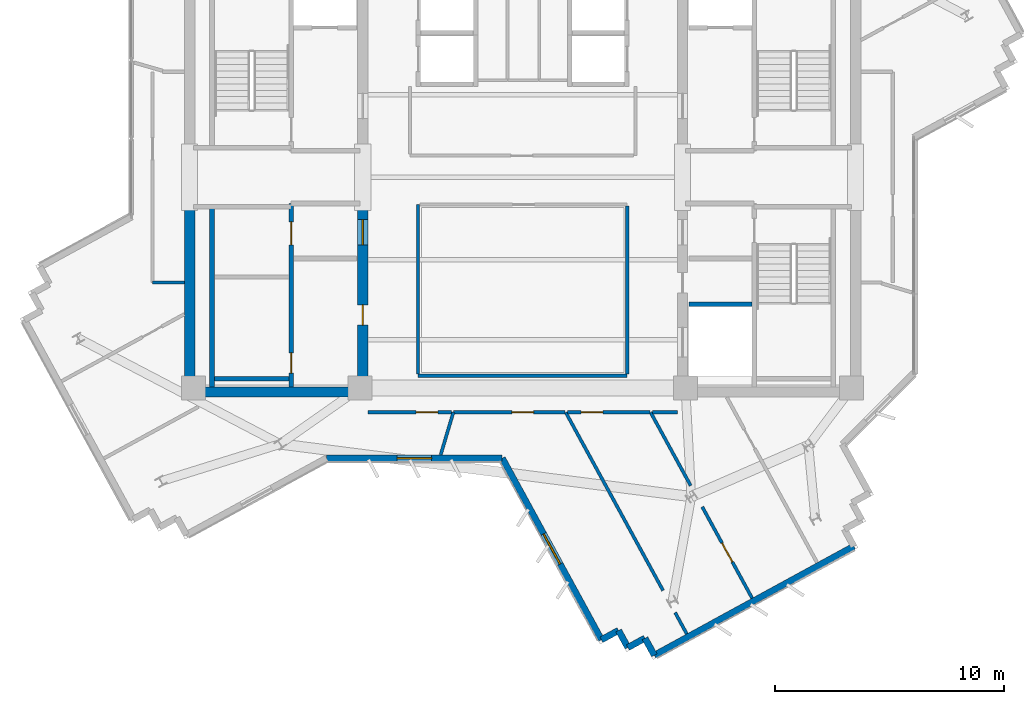
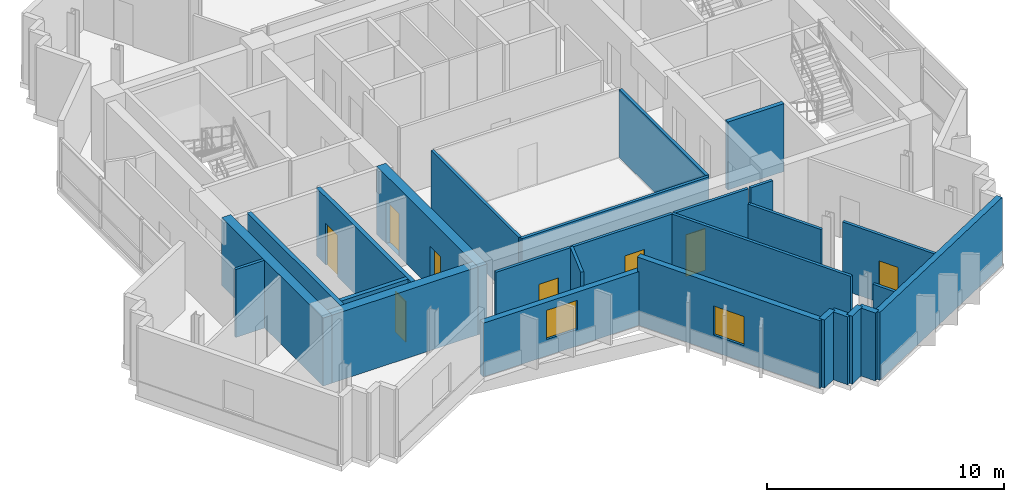
# One storey, part 5 of 13: 27 walls, 8 doors, 2 windows, 10 openings.
"""IFC4 building model written with IfcOpenShell, lengths in metres."""

import ifcopenshell
import ifcopenshell.guid

model = None  # the IFC model being written
_history = None  # IfcOwnerHistory: only IFC2X3 demands one
_inside = {}  # id of a spatial element -> (the spatial element, [elements in it])
_under = {}  # id of a project, library or spatial element -> (it, [spatial elements below it])
_declared = {}  # id of a project -> (the project, [libraries it declares])
_typed = {}  # id of a type object -> (the type object, [elements of that type])
_made_of = {}  # id of a material, layer set ... -> (it, [elements and type objects made of it])


def new_model(schema):
    """Start an empty IFC model of exactly this schema.

    Asked for "IFC4X3", IfcOpenShell would pick the latest addendum, in which some entities
    have other attributes; the version numbers below select the first issue.
    IFC2X3 requires an IfcOwnerHistory on every rooted entity: one is made here for all.
    """
    global model, _history
    if schema == "IFC4X3":
        model = ifcopenshell.file(schema_version=(4, 3, 0, 0))
    else:
        model = ifcopenshell.file(schema=schema)
    _inside.clear()
    _under.clear()
    _declared.clear()
    _typed.clear()
    _made_of.clear()
    _history = None
    if model.schema == "IFC2X3":
        org = make("IfcOrganization", Name="unknown")
        user = make(
            "IfcPersonAndOrganization",
            ThePerson=make("IfcPerson", FamilyName="unknown"),
            TheOrganization=org,
        )
        app = make(
            "IfcApplication",
            ApplicationDeveloper=org,
            Version="unknown",
            ApplicationFullName="unknown",
            ApplicationIdentifier="unknown",
        )
        _history = make(
            "IfcOwnerHistory",
            OwningUser=user,
            OwningApplication=app,
            ChangeAction="ADDED",
            CreationDate=0,
        )
    return model


def make(cls, **values):
    """One entity of the class cls with the attributes given. An attribute that is None is left unset."""
    return model.create_entity(
        cls, **{name: value for name, value in values.items() if value is not None}
    )


def rooted(cls, **values):
    """An entity with a GlobalId (a new one), such as an element, a storey or a relation."""
    return make(cls, GlobalId=ifcopenshell.guid.new(), OwnerHistory=_history, **values)


def si_unit(unit_type, name, prefix=None):
    """IfcSIUnit, for example si_unit("LENGTHUNIT", "METRE", prefix="MILLI")."""
    return make("IfcSIUnit", UnitType=unit_type, Prefix=prefix, Name=name)


def assignment(units):
    """IfcUnitAssignment: the units of a project."""
    return None if units is None else make("IfcUnitAssignment", Units=units)


def point(xyz):
    """IfcCartesianPoint."""
    return None if xyz is None else make("IfcCartesianPoint", Coordinates=xyz)


def direction(xyz):
    """IfcDirection."""
    return None if xyz is None else make("IfcDirection", DirectionRatios=xyz)


def frame(location, z_axis=None, x_axis=None):
    """IfcAxis2Placement3D, a coordinate frame: its origin and axes. An axis left out is left unset."""
    return make(
        "IfcAxis2Placement3D",
        Location=point(location),
        Axis=direction(z_axis),
        RefDirection=direction(x_axis),
    )


def frame_2d(location, x_axis=None):
    """IfcAxis2Placement2D, a coordinate frame in the plane: its origin and x axis."""
    return make(
        "IfcAxis2Placement2D", Location=point(location), RefDirection=direction(x_axis)
    )


def origin():
    """The frame at (0, 0, 0) with its axes left unset."""
    return frame((0.0, 0.0, 0.0))


def place(relative_to, where):
    """IfcLocalPlacement: puts the frame where relative to a parent placement (None: the world)."""
    return make(
        "IfcLocalPlacement", PlacementRelTo=relative_to, RelativePlacement=where
    )


def context(
    kind, dimensions, precision=None, world=None, true_north=None, identifier=None
):
    """IfcGeometricRepresentationContext, for example the 3D "Model" context."""
    return make(
        "IfcGeometricRepresentationContext",
        ContextIdentifier=identifier,
        ContextType=kind,
        CoordinateSpaceDimension=dimensions,
        Precision=precision,
        WorldCoordinateSystem=world,
        TrueNorth=true_north,
    )


def subcontext(parent, identifier, kind, view, scale=None):
    """IfcGeometricRepresentationSubContext, for example "Body" below "Model"."""
    return make(
        "IfcGeometricRepresentationSubContext",
        ContextIdentifier=identifier,
        ContextType=kind,
        ParentContext=parent,
        TargetScale=scale,
        TargetView=view,
    )


def project(units=None, contexts=None):
    """IfcProject with its units and contexts."""
    return rooted(
        "IfcProject",
        Name="project",
        RepresentationContexts=contexts,
        UnitsInContext=assignment(units),
    )


def spatial(cls, under=None, at=None, **own):
    """A site, building, storey or space (cls), placed at a placement, below another one or the project."""
    s = rooted(cls, ObjectPlacement=at, **own)
    if under is not None:
        _under.setdefault(under.id(), (under, []))[1].append(s)
    return s


def profile(cls, at=None, kind="AREA", **sizes):
    """A parametric profile (cls). Its sizes go by their IFC names, for example OverallWidth=200.0."""
    return make(cls, ProfileType=kind, Position=at, **sizes)


def rectangle(**sizes):
    """IfcRectangleProfileDef."""
    return profile("IfcRectangleProfileDef", **sizes)


def extrude(swept, where, along, depth):
    """IfcExtrudedAreaSolid: the profile swept, set in the frame where, extruded along a direction by depth."""
    return make(
        "IfcExtrudedAreaSolid",
        SweptArea=swept,
        Position=where,
        ExtrudedDirection=direction(along),
        Depth=depth,
    )


def shape(context_of_items, identifier, shape_type, items):
    """IfcShapeRepresentation: the items that make up one representation, for example the "Body"."""
    return make(
        "IfcShapeRepresentation",
        ContextOfItems=context_of_items,
        RepresentationIdentifier=identifier,
        RepresentationType=shape_type,
        Items=items,
    )


def source(mapping_origin, context_of_items, identifier, shape_type, items):
    """IfcRepresentationMap: a shape defined once, which mapped items show again and again."""
    return make(
        "IfcRepresentationMap",
        MappingOrigin=mapping_origin,
        MappedRepresentation=shape(context_of_items, identifier, shape_type, items),
    )


def transform(
    local_origin,
    x_axis=None,
    y_axis=None,
    z_axis=None,
    scale=None,
    scale2=None,
    scale3=None,
    uniform=True,
):
    """IfcCartesianTransformationOperator3D, or its non-uniform kind. x_axis, y_axis, z_axis: its Axis1, 2, 3."""
    if uniform:
        return make(
            "IfcCartesianTransformationOperator3D",
            Axis1=direction(x_axis),
            Axis2=direction(y_axis),
            LocalOrigin=point(local_origin),
            Scale=scale,
            Axis3=direction(z_axis),
        )
    return make(
        "IfcCartesianTransformationOperator3DnonUniform",
        Axis1=direction(x_axis),
        Axis2=direction(y_axis),
        LocalOrigin=point(local_origin),
        Scale=scale,
        Axis3=direction(z_axis),
        Scale2=scale2,
        Scale3=scale3,
    )


def mapped(mapping_source, mapping_target):
    """IfcMappedItem: shows the shape of a source again, moved by a transform."""
    return make(
        "IfcMappedItem", MappingSource=mapping_source, MappingTarget=mapping_target
    )


def material(Name=None, Category=None):
    """IfcMaterial."""
    return make("IfcMaterial", Name=Name, Category=Category)


def layer(
    of_material, thickness, ventilated=None, Name=None, Category=None, Priority=None
):
    """IfcMaterialLayer: one layer of a wall or slab, of a material (None: an air gap)."""
    return make(
        "IfcMaterialLayer",
        Material=of_material,
        LayerThickness=thickness,
        IsVentilated=ventilated,
        Name=Name,
        Category=Category,
        Priority=Priority,
    )


def layer_set(layers, Name=None):
    """IfcMaterialLayerSet."""
    return make("IfcMaterialLayerSet", MaterialLayers=layers, LayerSetName=Name)


def made_of(thing, what):
    """Note that an element or type object is made of a material, layer set ...; save() writes the relation."""
    if what is not None:
        _made_of.setdefault(what.id(), (what, []))[1].append(thing)
    return thing


def type_object(cls, material=None, **own):
    """A type object (cls), such as IfcWallType, which elements share."""
    return made_of(rooted(cls, **own), material)


def element(
    cls,
    number,
    at=None,
    inside=None,
    cuts=None,
    type_object=None,
    material=None,
    context=None,
    identifier="Body",
    shape_type=None,
    held_by="IfcProductDefinitionShape",
    body=None,
    shapes=None,
    **own,
):
    """One element of the class cls, such as IfcWall. Its Tag is "e" and its number.

    at: its placement. inside: the storey or other place that contains it. cuts: it is an
    opening in that element (IfcRelVoidsElement). A single representation is given by context,
    identifier, shape_type and body (its items); several are given by shapes. held_by: the class
    of the entity that holds the representations. save() writes the other relations.
    """
    e = rooted(cls, Tag="e%d" % number, ObjectPlacement=at, **own)
    if body is not None:
        shapes = [shape(context, identifier, shape_type, body)]
    if shapes is not None:
        e.Representation = make(held_by, Representations=shapes)
    if inside is not None:
        _inside.setdefault(inside.id(), (inside, []))[1].append(e)
    if cuts is not None:
        rooted(
            "IfcRelVoidsElement", RelatingBuildingElement=cuts, RelatedOpeningElement=e
        )
    if type_object is not None:
        _typed.setdefault(type_object.id(), (type_object, []))[1].append(e)
    return made_of(e, material)


def fill(opening, filler):
    """IfcRelFillsElement: the door or window that sits in an opening."""
    return rooted(
        "IfcRelFillsElement",
        RelatingOpeningElement=opening,
        RelatedBuildingElement=filler,
    )


def aggregate(whole, parts):
    """IfcRelAggregates: a whole, such as a stair, and the parts it consists of."""
    return rooted("IfcRelAggregates", RelatingObject=whole, RelatedObjects=parts)


def save(model, path):
    """Write the relations noted so far, then the file.

    IfcRelAggregates (storeys below a building ...), IfcRelContainedInSpatialStructure (elements
    in a storey), IfcRelDefinesByType, IfcRelAssociatesMaterial and IfcRelDeclares: one each for
    every whole, place, type object, material and project.
    """
    for whole, parts in _under.values():
        aggregate(whole, parts)
    for where, things in _inside.values():
        rooted(
            "IfcRelContainedInSpatialStructure",
            RelatedElements=things,
            RelatingStructure=where,
        )
    for kind, things in _typed.values():
        rooted("IfcRelDefinesByType", RelatedObjects=things, RelatingType=kind)
    for what, things in _made_of.values():
        rooted("IfcRelAssociatesMaterial", RelatedObjects=things, RelatingMaterial=what)
    for by, libraries in _declared.values():
        rooted("IfcRelDeclares", RelatingContext=by, RelatedDefinitions=libraries)
    model.write(path)


model = new_model("IFC4")

# Units and contexts
model_context = context("Model", 3, precision=1e-05, world=origin(), true_north=direction((0.0, 1.0)))
body_context = subcontext(model_context, "Body", "Model", "MODEL_VIEW")
ifc_project = project(units=[si_unit("LENGTHUNIT", "METRE"), si_unit("AREAUNIT", "SQUARE_METRE"), si_unit("VOLUMEUNIT", "CUBIC_METRE"), si_unit("PLANEANGLEUNIT", "RADIAN"), si_unit("MASSUNIT", "GRAM", prefix="KILO")], contexts=[model_context])

# Site, building, storey
site_placement = place(None, origin())
site = spatial("IfcSite", under=ifc_project, at=site_placement, CompositionType="ELEMENT")
building_placement = place(site_placement, origin())
building = spatial("IfcBuilding", under=site, at=building_placement, Name="Zahravan Cultural Tower", CompositionType="ELEMENT")
storey_placement = place(building_placement, frame((0.0, 0.0, 250.35009765625)))
storey = spatial("IfcBuildingStorey", under=building, at=storey_placement, Name="L59", CompositionType="ELEMENT", Elevation=250.35009765625)

# Wall, openings, doors
ifc_material_1 = material(Name="Concrete C50/60", Category="concrete")
ifc_layer_1 = layer(ifc_material_1, 0.449951171875)
ifc_layer_set_1 = layer_set([ifc_layer_1], Name="Concrete C50/60")
wall_type_1 = type_object("IfcWallType", Name="CW-SHEAR-450-C50", PredefinedType="SHEAR", material=ifc_layer_set_1)
wall_1_placement = place(storey_placement, frame((29.02490234375, 17.39990234375, 0.0), z_axis=(0.0, 0.0, 1.0), x_axis=(0.0, 1.0, 0.0)))
wall_1 = element("IfcWall", 1, at=wall_1_placement, inside=storey, type_object=wall_type_1, Name="L59 Core Shear Wall CW-W-ES-L59", PredefinedType="SHEAR", context=body_context, shape_type="SweptSolid", body=[
    extrude(rectangle(XDim=8.550048828125, YDim=0.449951171875, at=frame_2d((4.27490234375, 0.0))), origin(), (0.0, 0.0, 1.0), 3.5),
])
opening_1_placement = place(wall_1_placement, frame((6.64990234375, 0.0, 0.0)))
opening_1 = element("IfcOpeningElement", 2, at=opening_1_placement, cuts=wall_1, Name="Opening D-L59-08", PredefinedType="OPENING", context=body_context, shape_type="SweptSolid", body=[
    extrude(rectangle(XDim=1.10009765625, YDim=2.199951171875, at=frame_2d((0.550048828125, 1.10009765625))), frame((0.0, 0.23486328125, 0.0), z_axis=(0.0, -1.0, 0.0), x_axis=(1.0, 0.0, 0.0)), (0.0, 0.0, 1.0), 0.469970703125),
])
opening_2_placement = place(wall_1_placement, frame((3.14990234375, 0.0, 0.0)))
opening_2 = element("IfcOpeningElement", 3, at=opening_2_placement, cuts=wall_1, Name="Opening D-L59-10", PredefinedType="OPENING", context=body_context, shape_type="SweptSolid", body=[
    extrude(rectangle(XDim=0.8798828125, YDim=2.10009765625, at=frame_2d((0.43994140625, 1.050048828125))), frame((0.0, 0.23486328125, 0.0), z_axis=(0.0, -1.0, 0.0), x_axis=(1.0, 0.0, 0.0)), (0.0, 0.0, 1.0), 0.469970703125),
])
ifc_material_2 = material(Name="Steel ASTM A572 Grade 50", Category="steel")
door_type_1 = type_object("IfcDoorType", Name="DR-LOBBY-1100", OperationType="NOTDEFINED", PredefinedType="DOOR", material=ifc_material_2)
shared_shape_1 = source(origin(), body_context, "Body", "SweptSolid", [
    extrude(rectangle(XDim=1.10009765625, YDim=2.199951171875, at=frame_2d((0.550048828125, 1.10009765625))), frame((0.0, 0.02490234375, 0.0), z_axis=(0.0, -1.0, 0.0), x_axis=(1.0, 0.0, 0.0)), (0.0, 0.0, 1.0), 0.050048828125),
])
door_1_placement = place(opening_1_placement, origin())
door_1 = element("IfcDoor", 4, at=door_1_placement, inside=storey, type_object=door_type_1, Name="L59 Door D-L59-08", OperationType="SINGLE_SWING_RIGHT", OverallHeight=2.199951171875, OverallWidth=1.10009765625, PredefinedType="DOOR", context=body_context, shape_type="MappedRepresentation", body=[
    mapped(shared_shape_1, transform((0.0, 0.0, 0.0), x_axis=(1.0, 0.0, 0.0), y_axis=(0.0, 1.0, 0.0), z_axis=(0.0, 0.0, 1.0), scale=1.0)),
])
fill(opening_1, door_1)
door_type_2 = type_object("IfcDoorType", Name="DR-SVC-880", OperationType="NOTDEFINED", PredefinedType="DOOR", material=ifc_material_2)
shared_shape_2 = source(origin(), body_context, "Body", "SweptSolid", [
    extrude(rectangle(XDim=0.8798828125, YDim=2.10009765625, at=frame_2d((0.43994140625, 1.050048828125))), frame((0.0, 0.02490234375, 0.0), z_axis=(0.0, -1.0, 0.0), x_axis=(1.0, 0.0, 0.0)), (0.0, 0.0, 1.0), 0.050048828125),
])
door_2_placement = place(opening_2_placement, origin())
door_2 = element("IfcDoor", 5, at=door_2_placement, inside=storey, type_object=door_type_2, Name="L59 Door D-L59-10", OperationType="SINGLE_SWING_RIGHT", OverallHeight=2.10009765625, OverallWidth=0.8798828125, PredefinedType="DOOR", context=body_context, shape_type="MappedRepresentation", body=[
    mapped(shared_shape_2, transform((0.0, 0.0, 0.0), x_axis=(1.0, 0.0, 0.0), y_axis=(0.0, 1.0, 0.0), z_axis=(0.0, 0.0, 1.0), scale=1.0)),
])
fill(opening_2, door_2)

# Wall, opening, window
ifc_material_3 = material(Name="Precast concrete C40/50", Category="concrete")
ifc_layer_2 = layer(ifc_material_3, 0.280029296875)
ifc_layer_set_2 = layer_set([ifc_layer_2], Name="Precast concrete C40/50")
wall_type_2 = type_object("IfcWallType", Name="EW-TC-280", PredefinedType="SOLIDWALL", material=ifc_layer_set_2)
wall_2_placement = place(storey_placement, frame((39.437744140625, 6.817138671875, 0.0), z_axis=(0.0, 0.0, 1.0), x_axis=(-0.479475345647, 0.877555350344, 0.0)))
wall_2 = element("IfcWall", 6, at=wall_2_placement, inside=storey, type_object=wall_type_2, Name="L59 Exterior Masonry Frame Wall 23", PredefinedType="SOLIDWALL", context=body_context, shape_type="SweptSolid", body=[
    extrude(rectangle(XDim=9.0283203125, YDim=0.280029296875, at=frame_2d((4.51416015625, 0.0))), origin(), (0.0, 0.0, 1.0), 3.5),
])
opening_3_placement = place(wall_2_placement, frame((3.763916015625, 0.0, 0.85009765625)))
opening_3 = element("IfcOpeningElement", 7, at=opening_3_placement, cuts=wall_2, Name="Opening WN-03", PredefinedType="OPENING", context=body_context, shape_type="SweptSolid", body=[
    extrude(rectangle(XDim=1.5, YDim=1.5, at=frame_2d((0.75, 0.75))), frame((0.0, 0.14990234375, 0.0), z_axis=(0.0, -1.0, 0.0), x_axis=(1.0, 0.0, 0.0)), (0.0, 0.0, 1.0), 0.300048828125),
])
ifc_material_4 = material(Name="Low-E solar-control double glazing", Category="glass")
window_type = type_object("IfcWindowType", Name="WN-REC-1500X1500", PartitioningType="SINGLE_PANEL", PredefinedType="WINDOW", material=ifc_material_4)
shared_shape_3 = source(origin(), body_context, "Body", "SweptSolid", [
    extrude(rectangle(XDim=1.5, YDim=1.5, at=frame_2d((0.75, 0.75))), frame((0.0, 0.030029296875, 0.0), z_axis=(0.0, -1.0, 0.0), x_axis=(1.0, 0.0, 0.0)), (0.0, 0.0, 1.0), 0.06005859375),
])
window_1_placement = place(opening_3_placement, origin())
window_1 = element("IfcWindow", 8, at=window_1_placement, inside=storey, type_object=window_type, Name="L59 Recessed Solar Window 05", OverallHeight=1.5, OverallWidth=1.5, PartitioningType="SINGLE_PANEL", PredefinedType="WINDOW", context=body_context, shape_type="MappedRepresentation", body=[
    mapped(shared_shape_3, transform((0.0, 0.0, 0.0), x_axis=(1.0, 0.0, 0.0), y_axis=(0.0, 1.0, 0.0), z_axis=(0.0, 0.0, 1.0), scale=1.0)),
])
fill(opening_3, window_1)

wall_3_placement = place(storey_placement, frame((35.10888671875, 14.739990234375, 0.0), z_axis=(0.0, 0.0, 1.0), x_axis=(-1.0, 0.0, 0.0)))
wall_3 = element("IfcWall", 9, at=wall_3_placement, inside=storey, type_object=wall_type_2, Name="L59 Exterior Masonry Frame Wall 24", PredefinedType="SOLIDWALL", context=body_context, shape_type="SweptSolid", body=[
    extrude(rectangle(XDim=7.658203125, YDim=0.280029296875, at=frame_2d((3.8291015625, 0.0))), origin(), (0.0, 0.0, 1.0), 2.77197265625),
])
opening_4_placement = place(wall_3_placement, frame((3.0791015625, 0.0, 0.85009765625)))
opening_4 = element("IfcOpeningElement", 10, at=opening_4_placement, cuts=wall_3, Name="Opening WN-03", PredefinedType="OPENING", context=body_context, shape_type="SweptSolid", body=[
    extrude(rectangle(XDim=1.5, YDim=1.5, at=frame_2d((0.75, 0.75))), frame((0.0, 0.14990234375, 0.0), z_axis=(0.0, -1.0, 0.0), x_axis=(1.0, 0.0, 0.0)), (0.0, 0.0, 1.0), 0.300048828125),
])
window_2_placement = place(opening_4_placement, origin())
window_2 = element("IfcWindow", 11, at=window_2_placement, inside=storey, type_object=window_type, Name="L59 Recessed Solar Window 06", OverallHeight=1.5, OverallWidth=1.5, PartitioningType="SINGLE_PANEL", PredefinedType="WINDOW", context=body_context, shape_type="MappedRepresentation", body=[
    mapped(shared_shape_3, transform((0.0, 0.0, 0.0), x_axis=(1.0, 0.0, 0.0), y_axis=(0.0, 1.0, 0.0), z_axis=(0.0, 0.0, 1.0), scale=1.0)),
])
fill(opening_4, window_2)

# Wall, opening, door
ifc_material_5 = material(Name="Gypsum plasterboard partition")
ifc_layer_3 = layer(ifc_material_5, 0.139892578125)
ifc_layer_set_3 = layer_set([ifc_layer_3], Name="Gypsum plasterboard partition")
wall_type_3 = type_object("IfcWallType", Name="W-PART-140", PredefinedType="PARTITIONING", material=ifc_layer_set_3)
wall_4_placement = place(storey_placement, frame((46.01025390625, 8.635986328125, 0.0), z_axis=(0.0, 0.0, 1.0), x_axis=(-0.479410597023, 0.877590724348, 0.0)))
wall_4 = element("IfcWall", 12, at=wall_4_placement, inside=storey, type_object=wall_type_3, Name="L59 Interior Wall 054", PredefinedType="PARTITIONING", context=body_context, shape_type="SweptSolid", body=[
    extrude(rectangle(XDim=4.5322265625, YDim=0.139892578125, at=frame_2d((2.26611328125, 0.0))), origin(), (0.0, 0.0, 1.0), 3.5),
])
opening_5_placement = place(wall_4_placement, frame((1.791015625, 0.0, 0.0)))
opening_5 = element("IfcOpeningElement", 13, at=opening_5_placement, cuts=wall_4, Name="Opening D-L59-27", PredefinedType="OPENING", context=body_context, shape_type="SweptSolid", body=[
    extrude(rectangle(XDim=0.949951171875, YDim=2.14990234375, at=frame_2d((0.47509765625, 1.074951171875))), frame((0.0, 0.079833984375, 0.0), z_axis=(0.0, -1.0, 0.0), x_axis=(1.0, 0.0, 0.0)), (0.0, 0.0, 1.0), 0.159912109375),
])
ifc_material_6 = material(Name="Anodised bronze-aluminium mullion", Category="aluminium")
door_type_3 = type_object("IfcDoorType", Name="DR-ROOM-950", OperationType="NOTDEFINED", PredefinedType="DOOR", material=ifc_material_6)
shared_shape_4 = source(origin(), body_context, "Body", "SweptSolid", [
    extrude(rectangle(XDim=0.949951171875, YDim=2.14990234375, at=frame_2d((0.47509765625, 1.074951171875))), frame((0.0, 0.02490234375, 0.0), z_axis=(0.0, -1.0, 0.0), x_axis=(1.0, 0.0, 0.0)), (0.0, 0.0, 1.0), 0.050048828125),
])
door_3_placement = place(opening_5_placement, origin())
door_3 = element("IfcDoor", 14, at=door_3_placement, inside=storey, type_object=door_type_3, Name="L59 Door D-L59-27", OperationType="SINGLE_SWING_LEFT", OverallHeight=2.14990234375, OverallWidth=0.949951171875, PredefinedType="DOOR", context=body_context, shape_type="MappedRepresentation", body=[
    mapped(shared_shape_4, transform((0.0, 0.0, 0.0), x_axis=(1.0, 0.0, 0.0), y_axis=(0.0, 1.0, 0.0), z_axis=(0.0, 0.0, 1.0), scale=1.0)),
])
fill(opening_5, door_3)

wall_5_placement = place(storey_placement, frame((37.96484375, 16.739990234375, 0.0), z_axis=(0.0, 0.0, 1.0), x_axis=(1.0, 0.0, 0.0)))
wall_5 = element("IfcWall", 15, at=wall_5_placement, inside=storey, type_object=wall_type_3, Name="L59 Interior Wall 061", PredefinedType="PARTITIONING", context=body_context, shape_type="SweptSolid", body=[
    extrude(rectangle(XDim=3.59521484375, YDim=0.139892578125, at=frame_2d((1.797607421875, 0.0))), origin(), (0.0, 0.0, 1.0), 3.5),
])
opening_6_placement = place(wall_5_placement, frame((0.581787109375, 0.0, 0.0)))
opening_6 = element("IfcOpeningElement", 16, at=opening_6_placement, cuts=wall_5, Name="Opening D-L59-23", PredefinedType="OPENING", context=body_context, shape_type="SweptSolid", body=[
    extrude(rectangle(XDim=0.949951171875, YDim=2.14990234375, at=frame_2d((0.47509765625, 1.074951171875))), frame((0.0, 0.079833984375, 0.0), z_axis=(0.0, -1.0, 0.0), x_axis=(1.0, 0.0, 0.0)), (0.0, 0.0, 1.0), 0.159912109375),
])
door_4_placement = place(opening_6_placement, origin())
door_4 = element("IfcDoor", 17, at=door_4_placement, inside=storey, type_object=door_type_3, Name="L59 Door D-L59-23", OperationType="SINGLE_SWING_LEFT", OverallHeight=2.14990234375, OverallWidth=0.949951171875, PredefinedType="DOOR", context=body_context, shape_type="MappedRepresentation", body=[
    mapped(shared_shape_4, transform((0.0, 0.0, 0.0), x_axis=(1.0, 0.0, 0.0), y_axis=(0.0, 1.0, 0.0), z_axis=(0.0, 0.0, 1.0), scale=1.0)),
])
fill(opening_6, door_4)

wall_6_placement = place(storey_placement, frame((32.9775390625, 16.739990234375, 0.0), z_axis=(0.0, 0.0, 1.0), x_axis=(1.0, 0.0, 0.0)))
wall_6 = element("IfcWall", 18, at=wall_6_placement, inside=storey, type_object=wall_type_3, Name="L59 Interior Wall 072", PredefinedType="PARTITIONING", context=body_context, shape_type="SweptSolid", body=[
    extrude(rectangle(XDim=4.879150390625, YDim=0.139892578125, at=frame_2d((2.439453125, 0.0))), origin(), (0.0, 0.0, 1.0), 3.5),
])
opening_7_placement = place(wall_6_placement, frame((2.5537109375, 0.0, 0.0)))
opening_7 = element("IfcOpeningElement", 19, at=opening_7_placement, cuts=wall_6, Name="Opening D-L59-22", PredefinedType="OPENING", context=body_context, shape_type="SweptSolid", body=[
    extrude(rectangle(XDim=0.949951171875, YDim=2.14990234375, at=frame_2d((0.47509765625, 1.074951171875))), frame((0.0, 0.079833984375, 0.0), z_axis=(0.0, -1.0, 0.0), x_axis=(1.0, 0.0, 0.0)), (0.0, 0.0, 1.0), 0.159912109375),
])
door_5_placement = place(opening_7_placement, origin())
door_5 = element("IfcDoor", 20, at=door_5_placement, inside=storey, type_object=door_type_3, Name="L59 Door D-L59-22", OperationType="SINGLE_SWING_RIGHT", OverallHeight=2.14990234375, OverallWidth=0.949951171875, PredefinedType="DOOR", context=body_context, shape_type="MappedRepresentation", body=[
    mapped(shared_shape_4, transform((0.0, 0.0, 0.0), x_axis=(1.0, 0.0, 0.0), y_axis=(0.0, 1.0, 0.0), z_axis=(0.0, 0.0, 1.0), scale=1.0)),
])
fill(opening_7, door_5)

wall_7_placement = place(storey_placement, frame((29.25341796875, 16.7412109375, 0.0), z_axis=(0.0, 0.0, 1.0), x_axis=(0.999999943952, -0.000334806463, 0.0)))
wall_7 = element("IfcWall", 21, at=wall_7_placement, inside=storey, type_object=wall_type_3, Name="L59 Interior Wall 076", PredefinedType="PARTITIONING", context=body_context, shape_type="SweptSolid", body=[
    extrude(rectangle(XDim=3.64599609375, YDim=0.139892578125, at=frame_2d((1.822998046875, 0.0))), origin(), (0.0, 0.0, 1.0), 3.5),
])
opening_8_placement = place(wall_7_placement, frame((2.102783203125, 0.0, 0.0)))
opening_8 = element("IfcOpeningElement", 22, at=opening_8_placement, cuts=wall_7, Name="Opening D-L59-21", PredefinedType="OPENING", context=body_context, shape_type="SweptSolid", body=[
    extrude(rectangle(XDim=0.949951171875, YDim=2.14990234375, at=frame_2d((0.47509765625, 1.074951171875))), frame((0.0, 0.079833984375, 0.0), z_axis=(0.0, -1.0, 0.0), x_axis=(1.0, 0.0, 0.0)), (0.0, 0.0, 1.0), 0.159912109375),
])
door_6_placement = place(opening_8_placement, origin())
door_6 = element("IfcDoor", 23, at=door_6_placement, inside=storey, type_object=door_type_3, Name="L59 Door D-L59-21", OperationType="SINGLE_SWING_LEFT", OverallHeight=2.14990234375, OverallWidth=0.949951171875, PredefinedType="DOOR", context=body_context, shape_type="MappedRepresentation", body=[
    mapped(shared_shape_4, transform((0.0, 0.0, 0.0), x_axis=(1.0, 0.0, 0.0), y_axis=(0.0, 1.0, 0.0), z_axis=(0.0, 0.0, 1.0), scale=1.0)),
])
fill(opening_8, door_6)

# Wall, openings, doors
ifc_material_7 = material(Name="Concrete C45/55", Category="concrete")
ifc_layer_4 = layer(ifc_material_7, 0.199951171875)
ifc_layer_set_4 = layer_set([ifc_layer_4], Name="Concrete C45/55")
wall_type_4 = type_object("IfcWallType", Name="W-SHAFT-200", PredefinedType="SOLIDWALL", material=ifc_layer_set_4)
wall_8_placement = place(storey_placement, frame((25.89990234375, 17.85009765625, 0.0), z_axis=(0.0, 0.0, 1.0), x_axis=(0.0, 1.0, 0.0)))
wall_8 = element("IfcWall", 24, at=wall_8_placement, inside=storey, type_object=wall_type_4, Name="L59 Interior Wall 005", PredefinedType="SOLIDWALL", context=body_context, shape_type="SweptSolid", body=[
    extrude(rectangle(XDim=8.0, YDim=0.199951171875, at=frame_2d((4.0, 0.0))), origin(), (0.0, 0.0, 1.0), 3.5),
])
opening_9_placement = place(wall_8_placement, frame((6.199951171875, 0.0, 0.0)))
opening_9 = element("IfcOpeningElement", 25, at=opening_9_placement, cuts=wall_8, Name="Opening D-L59-04", PredefinedType="OPENING", context=body_context, shape_type="SweptSolid", body=[
    extrude(rectangle(XDim=1.0, YDim=2.14990234375, at=frame_2d((0.5, 1.074951171875))), frame((0.0, 0.10986328125, 0.0), z_axis=(0.0, -1.0, 0.0), x_axis=(1.0, 0.0, 0.0)), (0.0, 0.0, 1.0), 0.219970703125),
])
opening_10_placement = place(wall_8_placement, frame((0.60009765625, 0.0, 0.0)))
opening_10 = element("IfcOpeningElement", 26, at=opening_10_placement, cuts=wall_8, Name="Opening D-L59-05", PredefinedType="OPENING", context=body_context, shape_type="SweptSolid", body=[
    extrude(rectangle(XDim=0.8798828125, YDim=2.10009765625, at=frame_2d((0.43994140625, 1.050048828125))), frame((0.0, 0.10986328125, 0.0), z_axis=(0.0, -1.0, 0.0), x_axis=(1.0, 0.0, 0.0)), (0.0, 0.0, 1.0), 0.219970703125),
])
door_7_placement = place(opening_10_placement, origin())
door_7 = element("IfcDoor", 27, at=door_7_placement, inside=storey, type_object=door_type_2, Name="L59 Door D-L59-05", OperationType="SINGLE_SWING_LEFT", OverallHeight=2.10009765625, OverallWidth=0.8798828125, PredefinedType="DOOR", context=body_context, shape_type="MappedRepresentation", body=[
    mapped(shared_shape_2, transform((0.0, 0.0, 0.0), x_axis=(1.0, 0.0, 0.0), y_axis=(0.0, 1.0, 0.0), z_axis=(0.0, 0.0, 1.0), scale=1.0)),
])
fill(opening_10, door_7)
door_type_4 = type_object("IfcDoorType", Name="DR-COMP-1000", OperationType="NOTDEFINED", PredefinedType="DOOR", material=ifc_material_2)
shared_shape_5 = source(origin(), body_context, "Body", "SweptSolid", [
    extrude(rectangle(XDim=1.0, YDim=2.14990234375, at=frame_2d((0.5, 1.074951171875))), frame((0.0, 0.02490234375, 0.0), z_axis=(0.0, -1.0, 0.0), x_axis=(1.0, 0.0, 0.0)), (0.0, 0.0, 1.0), 0.050048828125),
])
door_8_placement = place(opening_9_placement, origin())
door_8 = element("IfcDoor", 28, at=door_8_placement, inside=storey, type_object=door_type_4, Name="L59 Door D-L59-04", OperationType="SINGLE_SWING_RIGHT", OverallHeight=2.14990234375, OverallWidth=1.0, PredefinedType="DOOR", context=body_context, shape_type="MappedRepresentation", body=[
    mapped(shared_shape_5, transform((0.0, 0.0, 0.0), x_axis=(1.0, 0.0, 0.0), y_axis=(0.0, 1.0, 0.0), z_axis=(0.0, 0.0, 1.0), scale=1.0)),
])
fill(opening_9, door_8)

# Walls
shared_shape_6 = source(origin(), body_context, "Body", "SweptSolid", [
    extrude(rectangle(XDim=8.550048828125, YDim=0.449951171875, at=frame_2d((4.27490234375, 0.0))), origin(), (0.0, 0.0, 1.0), 3.5),
])
wall_9_placement = place(storey_placement, frame((21.47509765625, 17.39990234375, 0.0), z_axis=(0.0, 0.0, 1.0), x_axis=(0.0, 1.0, 0.0)))
element("IfcWall", 29, at=wall_9_placement, inside=storey, type_object=wall_type_1, Name="L59 Core Shear Wall CW-W-WS-L59", PredefinedType="SHEAR", context=body_context, shape_type="MappedRepresentation", body=[
    mapped(shared_shape_6, transform((0.0, 0.0, 0.0), x_axis=(1.0, 0.0, 0.0), y_axis=(0.0, 1.0, 0.0), z_axis=(0.0, 0.0, 1.0), scale=1.0)),
])
shared_shape_7 = source(origin(), body_context, "Body", "SweptSolid", [
    extrude(rectangle(XDim=7.10009765625, YDim=0.449951171875, at=frame_2d((3.550048828125, 0.0))), origin(), (0.0, 0.0, 1.0), 3.5),
])
wall_10_placement = place(storey_placement, frame((21.699951171875, 17.625, 0.0), z_axis=(0.0, 0.0, 1.0), x_axis=(1.0, 0.0, 0.0)))
element("IfcWall", 30, at=wall_10_placement, inside=storey, type_object=wall_type_1, Name="L59 Core Shear Wall CW-W-S-L59", PredefinedType="SHEAR", context=body_context, shape_type="MappedRepresentation", body=[
    mapped(shared_shape_7, transform((0.0, 0.0, 0.0), x_axis=(1.0, 0.0, 0.0), y_axis=(0.0, 1.0, 0.0), z_axis=(0.0, 0.0, 1.0), scale=1.0)),
])
shared_shape_8 = source(origin(), body_context, "Body", "SweptSolid", [
    extrude(rectangle(XDim=0.85009765625, YDim=0.280029296875, at=frame_2d((0.425048828125, 0.0))), origin(), (0.0, 0.0, 1.0), 3.5),
])
wall_11_placement = place(storey_placement, frame((40.59130859375, 6.478759765625, 0.0), z_axis=(0.0, 0.0, 1.0), x_axis=(-0.479656876283, 0.877456141943, 0.0)))
element("IfcWall", 31, at=wall_11_placement, inside=storey, type_object=wall_type_2, Name="L59 Exterior Masonry Frame Wall 21", PredefinedType="SOLIDWALL", context=body_context, shape_type="MappedRepresentation", body=[
    mapped(shared_shape_8, transform((0.0, 0.0, 0.0), x_axis=(1.0, 0.0, 0.0), y_axis=(0.0, 1.0, 0.0), z_axis=(0.0, 0.0, 1.0), scale=1.0)),
])
shared_shape_9 = source(origin(), body_context, "Body", "SweptSolid", [
    extrude(rectangle(XDim=0.849853515625, YDim=0.280029296875, at=frame_2d((0.4248046875, 0.0))), origin(), (0.0, 0.0, 1.0), 3.5),
])
for number, where, z_axis, x_axis, name in (
    (32, (41.74462890625, 6.140380859375, 0.0), (0.0, 0.0, 1.0), (-0.479435691737, 0.877577015132, 0.0), "L59 Exterior Masonry Frame Wall 19"),
    (33, (41.337158203125, 6.88623046875, 0.0), (0.0, 0.0, 1.0), (-0.877577015132, -0.479435691737, 0.0), "L59 Exterior Masonry Frame Wall 20"),
    (34, (40.18359375, 7.224609375, 0.0), (0.0, 0.0, 1.0), (-0.877577015132, -0.479435691737, 0.0), "L59 Exterior Masonry Frame Wall 22"),
):
    element("IfcWall", number, at=place(storey_placement, frame(where, z_axis=z_axis, x_axis=x_axis)), inside=storey, type_object=wall_type_2, Name=name, PredefinedType="SOLIDWALL", context=body_context, shape_type="MappedRepresentation", body=[
        mapped(shared_shape_9, transform((0.0, 0.0, 0.0), x_axis=(1.0, 0.0, 0.0), y_axis=(0.0, 1.0, 0.0), z_axis=(0.0, 0.0, 1.0), scale=1.0)),
    ])
shared_shape_10 = source(origin(), body_context, "Body", "SweptSolid", [
    extrude(rectangle(XDim=9.920166015625, YDim=0.280029296875, at=frame_2d((4.9599609375, 0.0))), origin(), (0.0, 0.0, 1.0), 3.5),
])
wall_12_placement = place(storey_placement, frame((50.4501953125, 10.896484375, 0.0), z_axis=(0.0, 0.0, 1.0), x_axis=(-0.877572768104, -0.479443465574, 0.0)))
element("IfcWall", 35, at=wall_12_placement, inside=storey, type_object=wall_type_2, Name="L59 Exterior Masonry Frame Wall 18", PredefinedType="SOLIDWALL", context=body_context, shape_type="MappedRepresentation", body=[
    mapped(shared_shape_10, transform((0.0, 0.0, 0.0), x_axis=(1.0, 0.0, 0.0), y_axis=(0.0, 1.0, 0.0), z_axis=(0.0, 0.0, 1.0), scale=1.0)),
])
shared_shape_11 = source(origin(), body_context, "Body", "SweptSolid", [
    extrude(rectangle(XDim=7.869873046875, YDim=0.199951171875, at=frame_2d((3.93505859375, 0.0))), origin(), (0.0, 0.0, 1.0), 3.5),
])
wall_13_placement = place(storey_placement, frame((22.449951171875, 17.85009765625, 0.0), z_axis=(0.0, 0.0, 1.0), x_axis=(0.0, 1.0, 0.0)))
element("IfcWall", 36, at=wall_13_placement, inside=storey, type_object=wall_type_4, Name="L59 Interior Wall 001", PredefinedType="SOLIDWALL", context=body_context, shape_type="MappedRepresentation", body=[
    mapped(shared_shape_11, transform((0.0, 0.0, 0.0), x_axis=(1.0, 0.0, 0.0), y_axis=(0.0, 1.0, 0.0), z_axis=(0.0, 0.0, 1.0), scale=1.0)),
])
shared_shape_12 = source(origin(), body_context, "Body", "SweptSolid", [
    extrude(rectangle(XDim=3.25, YDim=0.199951171875, at=frame_2d((1.625, 0.0))), origin(), (0.0, 0.0, 1.0), 3.5),
])
wall_14_placement = place(storey_placement, frame((22.550048828125, 18.199951171875, 0.0), z_axis=(0.0, 0.0, 1.0), x_axis=(1.0, 0.0, 0.0)))
element("IfcWall", 37, at=wall_14_placement, inside=storey, type_object=wall_type_4, Name="L59 Interior Wall 019", PredefinedType="SOLIDWALL", context=body_context, shape_type="MappedRepresentation", body=[
    mapped(shared_shape_12, transform((0.0, 0.0, 0.0), x_axis=(1.0, 0.0, 0.0), y_axis=(0.0, 1.0, 0.0), z_axis=(0.0, 0.0, 1.0), scale=1.0)),
])
shared_shape_13 = source(origin(), body_context, "Body", "SweptSolid", [
    extrude(rectangle(XDim=2.75, YDim=0.199951171875, at=frame_2d((1.375, 0.0))), origin(), (0.0, 0.0, 1.0), 3.5),
])
wall_15_placement = place(storey_placement, frame((43.25, 21.449951171875, 0.0), z_axis=(0.0, 0.0, 1.0), x_axis=(1.0, 0.0, 0.0)))
element("IfcWall", 38, at=wall_15_placement, inside=storey, type_object=wall_type_4, Name="L59 Interior Wall 026", PredefinedType="SOLIDWALL", context=body_context, shape_type="MappedRepresentation", body=[
    mapped(shared_shape_13, transform((0.0, 0.0, 0.0), x_axis=(1.0, 0.0, 0.0), y_axis=(0.0, 1.0, 0.0), z_axis=(0.0, 0.0, 1.0), scale=1.0)),
])
shared_shape_14 = source(origin(), body_context, "Body", "SweptSolid", [
    extrude(rectangle(XDim=3.64306640625, YDim=0.139892578125, at=frame_2d((1.821533203125, 0.0))), origin(), (0.0, 0.0, 1.0), 2.712890625),
])
wall_16_placement = place(storey_placement, frame((43.32958984375, 13.542724609375, 0.0), z_axis=(0.0, 0.0, 1.0), x_axis=(-0.479434255723, 0.87757779965, 0.0)))
element("IfcWall", 39, at=wall_16_placement, inside=storey, type_object=wall_type_3, Name="L59 Interior Wall 055", PredefinedType="PARTITIONING", context=body_context, shape_type="MappedRepresentation", body=[
    mapped(shared_shape_14, transform((0.0, 0.0, 0.0), x_axis=(1.0, 0.0, 0.0), y_axis=(0.0, 1.0, 0.0), z_axis=(0.0, 0.0, 1.0), scale=1.0)),
])
shared_shape_15 = source(origin(), body_context, "Body", "SweptSolid", [
    extrude(rectangle(XDim=1.080078125, YDim=0.139892578125, at=frame_2d((0.5400390625, 0.0))), origin(), (0.0, 0.0, 1.0), 3.5),
])
wall_17_placement = place(storey_placement, frame((41.668212890625, 16.739990234375, 0.0), z_axis=(0.0, 0.0, 1.0), x_axis=(0.999996908828, 0.002486429927, 0.0)))
element("IfcWall", 40, at=wall_17_placement, inside=storey, type_object=wall_type_3, Name="L59 Interior Wall 056", PredefinedType="PARTITIONING", context=body_context, shape_type="MappedRepresentation", body=[
    mapped(shared_shape_15, transform((0.0, 0.0, 0.0), x_axis=(1.0, 0.0, 0.0), y_axis=(0.0, 1.0, 0.0), z_axis=(0.0, 0.0, 1.0), scale=1.0)),
])
shared_shape_16 = source(origin(), body_context, "Body", "SweptSolid", [
    extrude(rectangle(XDim=8.858642578125, YDim=0.139892578125, at=frame_2d((4.42919921875, 0.0))), origin(), (0.0, 0.0, 1.0), 3.5),
])
wall_18_placement = place(storey_placement, frame((42.126708984375, 8.9658203125, 0.0), z_axis=(0.0, 0.0, 1.0), x_axis=(-0.479448669569, 0.877569924991, 0.0)))
element("IfcWall", 41, at=wall_18_placement, inside=storey, type_object=wall_type_3, Name="L59 Interior Wall 060", PredefinedType="PARTITIONING", context=body_context, shape_type="MappedRepresentation", body=[
    mapped(shared_shape_16, transform((0.0, 0.0, 0.0), x_axis=(1.0, 0.0, 0.0), y_axis=(0.0, 1.0, 0.0), z_axis=(0.0, 0.0, 1.0), scale=1.0)),
])
shared_shape_17 = source(origin(), body_context, "Body", "SweptSolid", [
    extrude(rectangle(XDim=1.05712890625, YDim=0.139892578125, at=frame_2d((0.528564453125, 0.0))), origin(), (0.0, 0.0, 1.0), 3.5),
])
wall_19_placement = place(storey_placement, frame((43.158203125, 7.077880859375, 0.0), z_axis=(0.0, 0.0, 1.0), x_axis=(-0.479434527366, 0.877577651248, 0.0)))
element("IfcWall", 42, at=wall_19_placement, inside=storey, type_object=wall_type_3, Name="L59 Interior Wall 062", PredefinedType="PARTITIONING", context=body_context, shape_type="MappedRepresentation", body=[
    mapped(shared_shape_17, transform((0.0, 0.0, 0.0), x_axis=(1.0, 0.0, 0.0), y_axis=(0.0, 1.0, 0.0), z_axis=(0.0, 0.0, 1.0), scale=1.0)),
])
shared_shape_18 = source(origin(), body_context, "Body", "SweptSolid", [
    extrude(rectangle(XDim=1.38916015625, YDim=0.139892578125, at=frame_2d((0.694580078125, 0.0))), origin(), (0.0, 0.0, 1.0), 3.5),
])
wall_20_placement = place(storey_placement, frame((19.85595703125, 22.39990234375, 0.0), z_axis=(0.0, 0.0, 1.0), x_axis=(1.0, 0.0, 0.0)))
element("IfcWall", 43, at=wall_20_placement, inside=storey, type_object=wall_type_3, Name="L59 Interior Wall 065", PredefinedType="PARTITIONING", context=body_context, shape_type="MappedRepresentation", body=[
    mapped(shared_shape_18, transform((0.0, 0.0, 0.0), x_axis=(1.0, 0.0, 0.0), y_axis=(0.0, 1.0, 0.0), z_axis=(0.0, 0.0, 1.0), scale=1.0)),
])
shared_shape_19 = source(origin(), body_context, "Body", "SweptSolid", [
    extrude(rectangle(XDim=1.935791015625, YDim=0.139892578125, at=frame_2d((0.9677734375, 0.0))), origin(), (0.0, 0.0, 1.0), 3.5),
])
wall_21_placement = place(storey_placement, frame((32.423828125, 14.885009765625, 0.0), z_axis=(0.0, 0.0, 1.0), x_axis=(0.286028613148, 0.958221077028, 0.0)))
element("IfcWall", 44, at=wall_21_placement, inside=storey, type_object=wall_type_3, Name="L59 Interior Wall 073", PredefinedType="PARTITIONING", context=body_context, shape_type="MappedRepresentation", body=[
    mapped(shared_shape_19, transform((0.0, 0.0, 0.0), x_axis=(1.0, 0.0, 0.0), y_axis=(0.0, 1.0, 0.0), z_axis=(0.0, 0.0, 1.0), scale=1.0)),
])
shared_shape_20 = source(origin(), body_context, "Body", "SweptSolid", [
    extrude(rectangle(XDim=9.1201171875, YDim=0.139892578125, at=frame_2d((4.56005859375, 0.0))), origin(), (0.0, 0.0, 1.0), 3.5),
])
wall_22_placement = place(storey_placement, frame((40.56005859375, 18.340087890625, 0.0), z_axis=(0.0, 0.0, 1.0), x_axis=(-1.0, 0.0, 0.0)))
element("IfcWall", 45, at=wall_22_placement, inside=storey, type_object=wall_type_3, Name="L59 Interior Wall 081", PredefinedType="PARTITIONING", context=body_context, shape_type="MappedRepresentation", body=[
    mapped(shared_shape_20, transform((0.0, 0.0, 0.0), x_axis=(1.0, 0.0, 0.0), y_axis=(0.0, 1.0, 0.0), z_axis=(0.0, 0.0, 1.0), scale=1.0)),
])
shared_shape_21 = source(origin(), body_context, "Body", "SweptSolid", [
    extrude(rectangle(XDim=7.39501953125, YDim=0.139892578125, at=frame_2d((3.697509765625, 0.0))), origin(), (0.0, 0.0, 1.0), 3.5),
])
wall_23_placement = place(storey_placement, frame((31.43994140625, 18.4150390625, 0.0), z_axis=(0.0, 0.0, 1.0), x_axis=(0.0, 1.0, 0.0)))
element("IfcWall", 46, at=wall_23_placement, inside=storey, type_object=wall_type_3, Name="L59 Interior Wall 082", PredefinedType="PARTITIONING", context=body_context, shape_type="MappedRepresentation", body=[
    mapped(shared_shape_21, transform((0.0, 0.0, 0.0), x_axis=(1.0, 0.0, 0.0), y_axis=(0.0, 1.0, 0.0), z_axis=(0.0, 0.0, 1.0), scale=1.0)),
])
shared_shape_22 = source(origin(), body_context, "Body", "SweptSolid", [
    extrude(rectangle(XDim=7.320068359375, YDim=0.139892578125, at=frame_2d((3.66015625, 0.0))), origin(), (0.0, 0.0, 1.0), 3.5),
])
wall_24_placement = place(storey_placement, frame((40.56005859375, 25.735107421875, 0.0), z_axis=(0.0, 0.0, 1.0), x_axis=(0.0, -1.0, 0.0)))
element("IfcWall", 47, at=wall_24_placement, inside=storey, type_object=wall_type_3, Name="L59 Interior Wall 084", PredefinedType="PARTITIONING", context=body_context, shape_type="MappedRepresentation", body=[
    mapped(shared_shape_22, transform((0.0, 0.0, 0.0), x_axis=(1.0, 0.0, 0.0), y_axis=(0.0, 1.0, 0.0), z_axis=(0.0, 0.0, 1.0), scale=1.0)),
])

save(model, "model.ifc")
